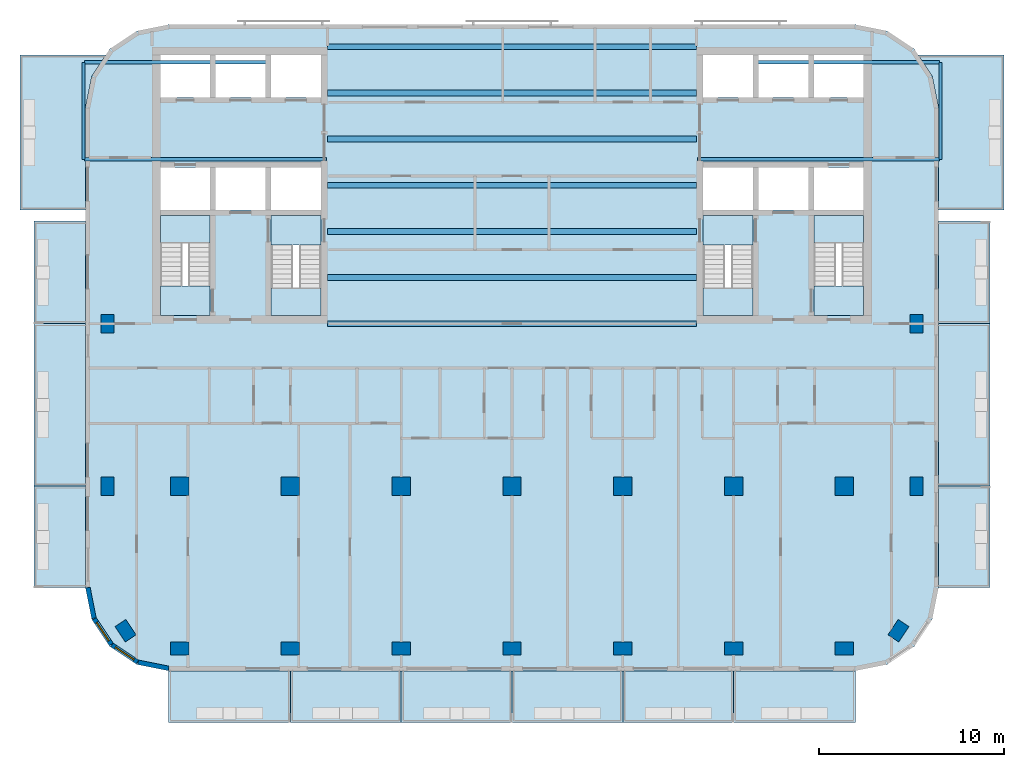
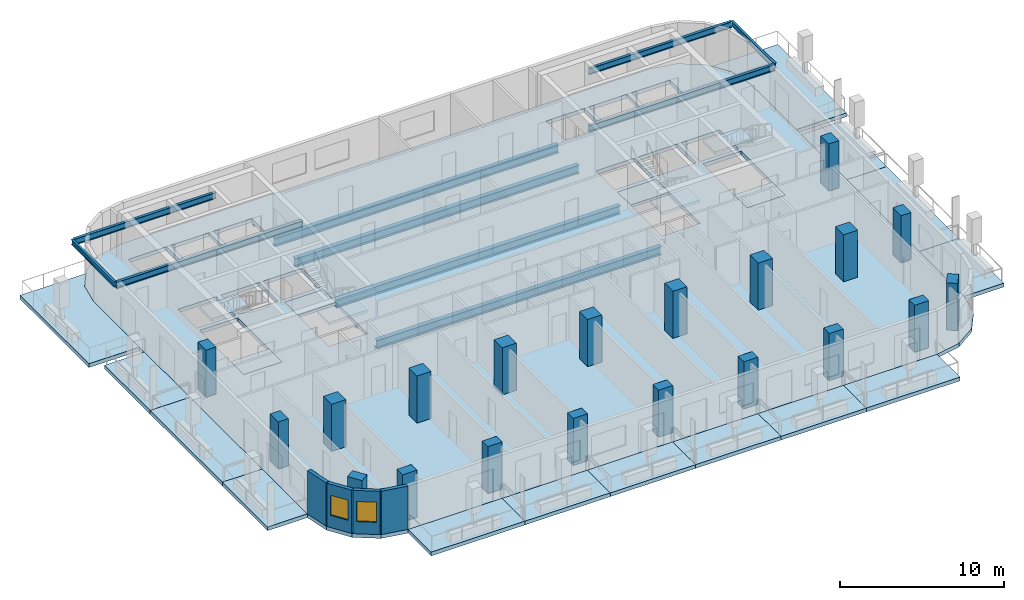
# One storey, part 1 of 11: 23 slabs, 20 columns, 13 beams, 4 walls, 2 windows, 2 openings, 4 elements without a shape of their own.
"""IFC4 building model written with IfcOpenShell, lengths in metres."""

import ifcopenshell
import ifcopenshell.guid

model = None  # the IFC model being written
_history = None  # IfcOwnerHistory: only IFC2X3 demands one
_inside = {}  # id of a spatial element -> (the spatial element, [elements in it])
_under = {}  # id of a project, library or spatial element -> (it, [spatial elements below it])
_declared = {}  # id of a project -> (the project, [libraries it declares])
_typed = {}  # id of a type object -> (the type object, [elements of that type])
_made_of = {}  # id of a material, layer set ... -> (it, [elements and type objects made of it])


def new_model(schema):
    """Start an empty IFC model of exactly this schema.

    Asked for "IFC4X3", IfcOpenShell would pick the latest addendum, in which some entities
    have other attributes; the version numbers below select the first issue.
    IFC2X3 requires an IfcOwnerHistory on every rooted entity: one is made here for all.
    """
    global model, _history
    if schema == "IFC4X3":
        model = ifcopenshell.file(schema_version=(4, 3, 0, 0))
    else:
        model = ifcopenshell.file(schema=schema)
    _inside.clear()
    _under.clear()
    _declared.clear()
    _typed.clear()
    _made_of.clear()
    _history = None
    if model.schema == "IFC2X3":
        org = make("IfcOrganization", Name="unknown")
        user = make(
            "IfcPersonAndOrganization",
            ThePerson=make("IfcPerson", FamilyName="unknown"),
            TheOrganization=org,
        )
        app = make(
            "IfcApplication",
            ApplicationDeveloper=org,
            Version="unknown",
            ApplicationFullName="unknown",
            ApplicationIdentifier="unknown",
        )
        _history = make(
            "IfcOwnerHistory",
            OwningUser=user,
            OwningApplication=app,
            ChangeAction="ADDED",
            CreationDate=0,
        )
    return model


def make(cls, **values):
    """One entity of the class cls with the attributes given. An attribute that is None is left unset."""
    return model.create_entity(
        cls, **{name: value for name, value in values.items() if value is not None}
    )


def rooted(cls, **values):
    """An entity with a GlobalId (a new one), such as an element, a storey or a relation."""
    return make(cls, GlobalId=ifcopenshell.guid.new(), OwnerHistory=_history, **values)


def si_unit(unit_type, name, prefix=None):
    """IfcSIUnit, for example si_unit("LENGTHUNIT", "METRE", prefix="MILLI")."""
    return make("IfcSIUnit", UnitType=unit_type, Prefix=prefix, Name=name)


def assignment(units):
    """IfcUnitAssignment: the units of a project."""
    return None if units is None else make("IfcUnitAssignment", Units=units)


def point(xyz):
    """IfcCartesianPoint."""
    return None if xyz is None else make("IfcCartesianPoint", Coordinates=xyz)


def direction(xyz):
    """IfcDirection."""
    return None if xyz is None else make("IfcDirection", DirectionRatios=xyz)


def frame(location, z_axis=None, x_axis=None):
    """IfcAxis2Placement3D, a coordinate frame: its origin and axes. An axis left out is left unset."""
    return make(
        "IfcAxis2Placement3D",
        Location=point(location),
        Axis=direction(z_axis),
        RefDirection=direction(x_axis),
    )


def frame_2d(location, x_axis=None):
    """IfcAxis2Placement2D, a coordinate frame in the plane: its origin and x axis."""
    return make(
        "IfcAxis2Placement2D", Location=point(location), RefDirection=direction(x_axis)
    )


def origin():
    """The frame at (0, 0, 0) with its axes left unset."""
    return frame((0.0, 0.0, 0.0))


def origin_2d():
    """The frame at (0, 0) in the plane with its x axis left unset."""
    return frame_2d((0.0, 0.0))


def place(relative_to, where):
    """IfcLocalPlacement: puts the frame where relative to a parent placement (None: the world)."""
    return make(
        "IfcLocalPlacement", PlacementRelTo=relative_to, RelativePlacement=where
    )


def context(
    kind, dimensions, precision=None, world=None, true_north=None, identifier=None
):
    """IfcGeometricRepresentationContext, for example the 3D "Model" context."""
    return make(
        "IfcGeometricRepresentationContext",
        ContextIdentifier=identifier,
        ContextType=kind,
        CoordinateSpaceDimension=dimensions,
        Precision=precision,
        WorldCoordinateSystem=world,
        TrueNorth=true_north,
    )


def subcontext(parent, identifier, kind, view, scale=None):
    """IfcGeometricRepresentationSubContext, for example "Body" below "Model"."""
    return make(
        "IfcGeometricRepresentationSubContext",
        ContextIdentifier=identifier,
        ContextType=kind,
        ParentContext=parent,
        TargetScale=scale,
        TargetView=view,
    )


def project(units=None, contexts=None):
    """IfcProject with its units and contexts."""
    return rooted(
        "IfcProject",
        Name="project",
        RepresentationContexts=contexts,
        UnitsInContext=assignment(units),
    )


def spatial(cls, under=None, at=None, **own):
    """A site, building, storey or space (cls), placed at a placement, below another one or the project."""
    s = rooted(cls, ObjectPlacement=at, **own)
    if under is not None:
        _under.setdefault(under.id(), (under, []))[1].append(s)
    return s


def polyline(points):
    """IfcPolyline through the points."""
    return make("IfcPolyline", Points=[point(p) for p in points])


def profile(cls, at=None, kind="AREA", **sizes):
    """A parametric profile (cls). Its sizes go by their IFC names, for example OverallWidth=200.0."""
    return make(cls, ProfileType=kind, Position=at, **sizes)


def rectangle(**sizes):
    """IfcRectangleProfileDef."""
    return profile("IfcRectangleProfileDef", **sizes)


def i_section(**sizes):
    """IfcIShapeProfileDef."""
    return profile("IfcIShapeProfileDef", **sizes)


def outline(outer, holes=None, kind="AREA"):
    """IfcArbitraryClosedProfileDef: a profile drawn as a closed curve; with holes, ...WithVoids."""
    if holes is None:
        return make("IfcArbitraryClosedProfileDef", ProfileType=kind, OuterCurve=outer)
    return make(
        "IfcArbitraryProfileDefWithVoids",
        ProfileType=kind,
        OuterCurve=outer,
        InnerCurves=holes,
    )


def extrude(swept, where, along, depth):
    """IfcExtrudedAreaSolid: the profile swept, set in the frame where, extruded along a direction by depth."""
    return make(
        "IfcExtrudedAreaSolid",
        SweptArea=swept,
        Position=where,
        ExtrudedDirection=direction(along),
        Depth=depth,
    )


def shape(context_of_items, identifier, shape_type, items):
    """IfcShapeRepresentation: the items that make up one representation, for example the "Body"."""
    return make(
        "IfcShapeRepresentation",
        ContextOfItems=context_of_items,
        RepresentationIdentifier=identifier,
        RepresentationType=shape_type,
        Items=items,
    )


def material(Name=None, Category=None):
    """IfcMaterial."""
    return make("IfcMaterial", Name=Name, Category=Category)


def layer(
    of_material, thickness, ventilated=None, Name=None, Category=None, Priority=None
):
    """IfcMaterialLayer: one layer of a wall or slab, of a material (None: an air gap)."""
    return make(
        "IfcMaterialLayer",
        Material=of_material,
        LayerThickness=thickness,
        IsVentilated=ventilated,
        Name=Name,
        Category=Category,
        Priority=Priority,
    )


def layer_set(layers, Name=None):
    """IfcMaterialLayerSet."""
    return make("IfcMaterialLayerSet", MaterialLayers=layers, LayerSetName=Name)


def material_profile(
    of_material, cross_section, Name=None, Category=None, Priority=None
):
    """IfcMaterialProfile: a cross section and its material."""
    return make(
        "IfcMaterialProfile",
        Name=Name,
        Material=of_material,
        Profile=cross_section,
        Priority=Priority,
        Category=Category,
    )


def profile_set(profiles, Name=None, composite=None):
    """IfcMaterialProfileSet."""
    return make(
        "IfcMaterialProfileSet",
        Name=Name,
        MaterialProfiles=profiles,
        CompositeProfile=composite,
    )


def made_of(thing, what):
    """Note that an element or type object is made of a material, layer set ...; save() writes the relation."""
    if what is not None:
        _made_of.setdefault(what.id(), (what, []))[1].append(thing)
    return thing


def type_object(cls, material=None, **own):
    """A type object (cls), such as IfcWallType, which elements share."""
    return made_of(rooted(cls, **own), material)


def element(
    cls,
    number,
    at=None,
    inside=None,
    cuts=None,
    type_object=None,
    material=None,
    context=None,
    identifier="Body",
    shape_type=None,
    held_by="IfcProductDefinitionShape",
    body=None,
    shapes=None,
    **own,
):
    """One element of the class cls, such as IfcWall. Its Tag is "e" and its number.

    at: its placement. inside: the storey or other place that contains it. cuts: it is an
    opening in that element (IfcRelVoidsElement). A single representation is given by context,
    identifier, shape_type and body (its items); several are given by shapes. held_by: the class
    of the entity that holds the representations. save() writes the other relations.
    """
    e = rooted(cls, Tag="e%d" % number, ObjectPlacement=at, **own)
    if body is not None:
        shapes = [shape(context, identifier, shape_type, body)]
    if shapes is not None:
        e.Representation = make(held_by, Representations=shapes)
    if inside is not None:
        _inside.setdefault(inside.id(), (inside, []))[1].append(e)
    if cuts is not None:
        rooted(
            "IfcRelVoidsElement", RelatingBuildingElement=cuts, RelatedOpeningElement=e
        )
    if type_object is not None:
        _typed.setdefault(type_object.id(), (type_object, []))[1].append(e)
    return made_of(e, material)


def fill(opening, filler):
    """IfcRelFillsElement: the door or window that sits in an opening."""
    return rooted(
        "IfcRelFillsElement",
        RelatingOpeningElement=opening,
        RelatedBuildingElement=filler,
    )


def aggregate(whole, parts):
    """IfcRelAggregates: a whole, such as a stair, and the parts it consists of."""
    return rooted("IfcRelAggregates", RelatingObject=whole, RelatedObjects=parts)


def save(model, path):
    """Write the relations noted so far, then the file.

    IfcRelAggregates (storeys below a building ...), IfcRelContainedInSpatialStructure (elements
    in a storey), IfcRelDefinesByType, IfcRelAssociatesMaterial and IfcRelDeclares: one each for
    every whole, place, type object, material and project.
    """
    for whole, parts in _under.values():
        aggregate(whole, parts)
    for where, things in _inside.values():
        rooted(
            "IfcRelContainedInSpatialStructure",
            RelatedElements=things,
            RelatingStructure=where,
        )
    for kind, things in _typed.values():
        rooted("IfcRelDefinesByType", RelatedObjects=things, RelatingType=kind)
    for what, things in _made_of.values():
        rooted("IfcRelAssociatesMaterial", RelatedObjects=things, RelatingMaterial=what)
    for by, libraries in _declared.values():
        rooted("IfcRelDeclares", RelatingContext=by, RelatedDefinitions=libraries)
    model.write(path)


model = new_model("IFC4")

# Units and contexts
model_context = context("Model", 3, precision=1e-05, world=origin(), true_north=direction((0.0, 1.0)))
body_context = subcontext(model_context, "Body", "Model", "MODEL_VIEW")
ifc_project = project(units=[si_unit("LENGTHUNIT", "METRE"), si_unit("AREAUNIT", "SQUARE_METRE"), si_unit("VOLUMEUNIT", "CUBIC_METRE"), si_unit("PLANEANGLEUNIT", "RADIAN"), si_unit("MASSUNIT", "GRAM", prefix="KILO")], contexts=[model_context])

# Site, building, storey
site_placement = place(None, origin())
site = spatial("IfcSite", under=ifc_project, at=site_placement, CompositionType="ELEMENT")
building_placement = place(site_placement, origin())
building = spatial("IfcBuilding", under=site, at=building_placement, Name="Torana Hotel and Residences", CompositionType="ELEMENT")
storey_placement = place(building_placement, frame((0.0, 0.0, 280.60009765625)))
storey = spatial("IfcBuildingStorey", under=building, at=storey_placement, Name="L74", CompositionType="ELEMENT", Elevation=280.60009765625)

# Columns
ifc_material_1 = material(Name="Concrete C50/60", Category="concrete")
ifc_material_profile_1 = material_profile(ifc_material_1, rectangle(XDim=1.0, YDim=1.0, at=origin_2d()), Name="RC 1000x1000")
ifc_profile_set_1 = profile_set([ifc_material_profile_1], Name="Concrete C50/60")
column_type_1 = type_object("IfcColumnType", Name="COLUMN RC 1000x1000 C50/60", PredefinedType="COLUMN", material=ifc_profile_set_1)
for number, where, z_axis, x_axis, name in (
    (1, (-18.0, -23.800048828125, 0.0), (0.0, 0.0, 1.0), (1.0, 0.0, 0.0), "Column L74"),
    (2, (-12.0, -23.800048828125, 0.0), (0.0, 0.0, 1.0), (1.0, 0.0, 0.0), "Column L74"),
    (3, (-6.0, -23.800048828125, 0.0), (0.0, 0.0, 1.0), (1.0, 0.0, 0.0), "Column L74"),
    (4, (0.0, -23.800048828125, 0.0), (0.0, 0.0, 1.0), (1.0, 0.0, 0.0), "Column L74"),
    (5, (6.0, -23.800048828125, 0.0), (0.0, 0.0, 1.0), (1.0, 0.0, 0.0), "Column L74"),
    (6, (12.0, -23.800048828125, 0.0), (0.0, 0.0, 1.0), (1.0, 0.0, 0.0), "Column L74"),
    (7, (18.0, -23.800048828125, 0.0), (0.0, 0.0, 1.0), (1.0, 0.0, 0.0), "Column L74"),
):
    element("IfcColumn", number, at=place(storey_placement, frame(where, z_axis=z_axis, x_axis=x_axis)), inside=storey, type_object=column_type_1, Name=name, PredefinedType="COLUMN", context=body_context, shape_type="SweptSolid", body=[
        extrude(rectangle(XDim=1.0, YDim=1.0, at=origin_2d()), origin(), (0.0, 0.0, 1.0), 3.5),
    ])
ifc_material_2 = material(Name="Concrete C50/60", Category="concrete")
ifc_material_profile_2 = material_profile(ifc_material_2, rectangle(XDim=1.0, YDim=0.699951171875, at=origin_2d()), Name="RC 1000x700")
ifc_profile_set_2 = profile_set([ifc_material_profile_2], Name="Concrete C50/60")
column_type_2 = type_object("IfcColumnType", Name="COLUMN RC 1000x700 C50/60", PredefinedType="COLUMN", material=ifc_profile_set_2)
for number, where, z_axis, x_axis, name in (
    (8, (-21.89990234375, -23.800048828125, 0.0), (0.0, 0.0, 1.0), (0.0, 1.0, 0.0), "Column L74"),
    (9, (-21.89990234375, -15.0, 0.0), (0.0, 0.0, 1.0), (0.0, 1.0, 0.0), "Column L74"),
    (10, (-20.93310546875, -31.633056640625, 0.0), (0.0, 0.0, 1.0), (-0.555584744817, 0.831459915646, 0.0), "Column L74"),
    (11, (-18.0, -32.60009765625, 0.0), (0.0, 0.0, 1.0), (1.0, 0.0, 0.0), "Column L74"),
    (12, (-12.0, -32.60009765625, 0.0), (0.0, 0.0, 1.0), (1.0, 0.0, 0.0), "Column L74"),
    (13, (-6.0, -32.60009765625, 0.0), (0.0, 0.0, 1.0), (1.0, 0.0, 0.0), "Column L74"),
    (14, (0.0, -32.60009765625, 0.0), (0.0, 0.0, 1.0), (1.0, 0.0, 0.0), "Column L74"),
    (15, (6.0, -32.60009765625, 0.0), (0.0, 0.0, 1.0), (1.0, 0.0, 0.0), "Column L74"),
    (16, (12.0, -32.60009765625, 0.0), (0.0, 0.0, 1.0), (1.0, 0.0, 0.0), "Column L74"),
    (17, (18.0, -32.60009765625, 0.0), (0.0, 0.0, 1.0), (1.0, 0.0, 0.0), "Column L74"),
    (18, (20.93310546875, -31.633056640625, 0.0), (0.0, 0.0, 1.0), (0.555584744817, 0.831459915646, 0.0), "Column L74"),
    (19, (21.89990234375, -23.800048828125, 0.0), (0.0, 0.0, 1.0), (0.0, 1.0, 0.0), "Column L74"),
    (20, (21.89990234375, -15.0, 0.0), (0.0, 0.0, 1.0), (0.0, 1.0, 0.0), "Column L74"),
):
    element("IfcColumn", number, at=place(storey_placement, frame(where, z_axis=z_axis, x_axis=x_axis)), inside=storey, type_object=column_type_2, Name=name, PredefinedType="COLUMN", context=body_context, shape_type="SweptSolid", body=[
        extrude(rectangle(XDim=1.0, YDim=0.699951171875, at=origin_2d()), origin(), (0.0, 0.0, 1.0), 3.5),
    ])

# Beams
ifc_material_3 = material(Name="Steel S355", Category="steel")
ifc_material_profile_3 = material_profile(ifc_material_3, i_section(OverallWidth=0.19287109375, OverallDepth=0.46728515625, WebThickness=0.011474609375, FlangeThickness=0.01953125, FilletRadius=0.01025390625, at=origin_2d()), Name="457x191x98 UB")
ifc_profile_set_3 = profile_set([ifc_material_profile_3], Name="Steel S355")
beam_type_1 = type_object("IfcBeamType", Name="BALCONY CANTILEVER BEAM 457x191x98 UB", PredefinedType="BEAM", material=ifc_profile_set_3)
beam_1_placement = place(storey_placement, frame((-23.1484375, -6.10009765625, 2.986328125), z_axis=(1.0, 0.0, 0.0), x_axis=(0.0, 1.0, 0.0)))
element("IfcBeam", 21, at=beam_1_placement, inside=storey, type_object=beam_type_1, Name="Balcony cantilever beam", PredefinedType="BEAM", context=body_context, shape_type="SweptSolid", body=[
    extrude(i_section(OverallWidth=0.19287109375, OverallDepth=0.46728515625, WebThickness=0.011474609375, FlangeThickness=0.01953125, FilletRadius=0.01025390625, at=origin_2d()), origin(), (0.0, 0.0, 1.0), 13.098388671875),
])
beam_2_placement = place(storey_placement, frame((-23.1484375, -0.85009765625, 2.986328125), z_axis=(1.0, 0.0, 0.0), x_axis=(0.0, 1.0, 0.0)))
element("IfcBeam", 22, at=beam_2_placement, inside=storey, type_object=beam_type_1, Name="Balcony cantilever beam", PredefinedType="BEAM", context=body_context, shape_type="SweptSolid", body=[
    extrude(i_section(OverallWidth=0.19287109375, OverallDepth=0.46728515625, WebThickness=0.011474609375, FlangeThickness=0.01953125, FilletRadius=0.01025390625, at=origin_2d()), origin(), (0.0, 0.0, 1.0), 10.04833984375),
])
beam_3_placement = place(storey_placement, frame((23.1484375, -6.10009765625, 2.986328125), z_axis=(-1.0, 0.0, 0.0), x_axis=(0.0, -1.0, 0.0)))
element("IfcBeam", 23, at=beam_3_placement, inside=storey, type_object=beam_type_1, Name="Balcony cantilever beam", PredefinedType="BEAM", context=body_context, shape_type="SweptSolid", body=[
    extrude(i_section(OverallWidth=0.19287109375, OverallDepth=0.46728515625, WebThickness=0.011474609375, FlangeThickness=0.01953125, FilletRadius=0.01025390625, at=origin_2d()), origin(), (0.0, 0.0, 1.0), 13.098388671875),
])
beam_4_placement = place(storey_placement, frame((23.1484375, -0.85009765625, 2.986328125), z_axis=(-1.0, 0.0, 0.0), x_axis=(0.0, -1.0, 0.0)))
element("IfcBeam", 24, at=beam_4_placement, inside=storey, type_object=beam_type_1, Name="Balcony cantilever beam", PredefinedType="BEAM", context=body_context, shape_type="SweptSolid", body=[
    extrude(i_section(OverallWidth=0.19287109375, OverallDepth=0.46728515625, WebThickness=0.011474609375, FlangeThickness=0.01953125, FilletRadius=0.01025390625, at=origin_2d()), origin(), (0.0, 0.0, 1.0), 10.04833984375),
])
ifc_material_4 = material(Name="Steel S355", Category="steel")
ifc_material_profile_4 = material_profile(ifc_material_4, i_section(OverallWidth=0.173095703125, OverallDepth=0.36328125, WebThickness=0.009033203125, FlangeThickness=0.015625, FilletRadius=0.01025390625, at=origin_2d()), Name="356x171x67 UB")
ifc_profile_set_4 = profile_set([ifc_material_profile_4], Name="Steel S355")
beam_type_2 = type_object("IfcBeamType", Name="BALCONY TIP BEAM 356x171x67 UB", PredefinedType="BEAM", material=ifc_profile_set_4)
for number, where, z_axis, x_axis, name in (
    (25, (-23.205078125, -6.10009765625, 3.0380859375), (0.0, 1.0, 0.0), (-1.0, 0.0, 0.0), "Balcony tip beam"),
    (26, (23.205078125, -6.10009765625, 3.0380859375), (0.0, 1.0, 0.0), (-1.0, 0.0, 0.0), "Balcony tip beam"),
):
    element("IfcBeam", number, at=place(storey_placement, frame(where, z_axis=z_axis, x_axis=x_axis)), inside=storey, type_object=beam_type_2, Name=name, PredefinedType="BEAM", context=body_context, shape_type="SweptSolid", body=[
        extrude(i_section(OverallWidth=0.173095703125, OverallDepth=0.36328125, WebThickness=0.009033203125, FlangeThickness=0.015625, FilletRadius=0.01025390625, at=origin_2d()), origin(), (0.0, 0.0, 1.0), 5.25),
    ])
ifc_material_5 = material(Name="Steel S355", Category="steel")
ifc_material_profile_5 = material_profile(ifc_material_5, i_section(OverallWidth=0.311279296875, OverallDepth=0.6357421875, WebThickness=0.018310546875, FlangeThickness=0.031494140625, FilletRadius=0.0166015625, at=origin_2d()), Name="610x305x238 UB")
ifc_profile_set_5 = profile_set([ifc_material_profile_5], Name="Steel S355")
beam_type_3 = type_object("IfcBeamType", Name="STEEL GIRDER 610x305x238 UB", PredefinedType="BEAM", material=ifc_profile_set_5)
for number, where, z_axis, x_axis, name in (
    (27, (-10.0, -15.0, -0.597900390625), (1.0, 0.0, 0.0), (0.0, 1.0, 0.0), "Floor girder"),
    (28, (-10.0, -12.5, -0.597900390625), (1.0, 0.0, 0.0), (0.0, 1.0, 0.0), "Floor girder"),
    (29, (-10.0, -10.0, -0.597900390625), (1.0, 0.0, 0.0), (0.0, 1.0, 0.0), "Floor girder"),
    (30, (-10.0, -7.5, -0.597900390625), (1.0, 0.0, 0.0), (0.0, 1.0, 0.0), "Floor girder"),
    (31, (-10.0, -5.0, -0.597900390625), (1.0, 0.0, 0.0), (0.0, 1.0, 0.0), "Floor girder"),
    (32, (-10.0, -2.5, -0.597900390625), (1.0, 0.0, 0.0), (0.0, 1.0, 0.0), "Floor girder"),
    (33, (-10.0, 0.0, -0.597900390625), (1.0, 0.0, 0.0), (0.0, 1.0, 0.0), "Floor girder"),
):
    element("IfcBeam", number, at=place(storey_placement, frame(where, z_axis=z_axis, x_axis=x_axis)), inside=storey, type_object=beam_type_3, Name=name, PredefinedType="BEAM", context=body_context, shape_type="SweptSolid", body=[
        extrude(i_section(OverallWidth=0.311279296875, OverallDepth=0.6357421875, WebThickness=0.018310546875, FlangeThickness=0.031494140625, FilletRadius=0.0166015625, at=origin_2d()), origin(), (0.0, 0.0, 1.0), 20.0),
    ])

# Slabs
ifc_material_6 = material(Name="Concrete C40/50", Category="concrete")
ifc_layer_1 = layer(ifc_material_6, 0.280029296875)
ifc_layer_set_1 = layer_set([ifc_layer_1], Name="BAL1 BALCONY SLAB 280")
slab_type_1 = type_object("IfcSlabType", Name="BAL1 BALCONY SLAB 280", PredefinedType="USERDEFINED", material=ifc_layer_set_1)
slab_1_placement = place(storey_placement, frame((0.0, 0.0, -0.280029296875)))
element("IfcSlab", 34, at=slab_1_placement, inside=storey, type_object=slab_type_1, Name="Balcony 01", ObjectType="BALCONY", PredefinedType="USERDEFINED", context=body_context, shape_type="SweptSolid", body=[
    extrude(outline(polyline([(-18.60009765625, -36.60009765625), (-12.0, -36.60009765625), (-12.0, -33.800048828125), (-18.60009765625, -33.800048828125), (-18.60009765625, -36.60009765625)])), origin(), (0.0, 0.0, 1.0), 0.280029296875),
])
slab_2_placement = place(storey_placement, frame((0.0, 0.0, -0.280029296875)))
element("IfcSlab", 35, at=slab_2_placement, inside=storey, type_object=slab_type_1, Name="Balcony 02", ObjectType="BALCONY", PredefinedType="USERDEFINED", context=body_context, shape_type="SweptSolid", body=[
    extrude(outline(polyline([(-12.0, -36.60009765625), (-6.0, -36.60009765625), (-6.0, -33.800048828125), (-12.0, -33.800048828125), (-12.0, -36.60009765625)])), origin(), (0.0, 0.0, 1.0), 0.280029296875),
])
slab_3_placement = place(storey_placement, frame((0.0, 0.0, -0.280029296875)))
element("IfcSlab", 36, at=slab_3_placement, inside=storey, type_object=slab_type_1, Name="Balcony 03", ObjectType="BALCONY", PredefinedType="USERDEFINED", context=body_context, shape_type="SweptSolid", body=[
    extrude(outline(polyline([(-6.0, -36.60009765625), (0.0, -36.60009765625), (0.0, -33.800048828125), (-6.0, -33.800048828125), (-6.0, -36.60009765625)])), origin(), (0.0, 0.0, 1.0), 0.280029296875),
])
slab_4_placement = place(storey_placement, frame((0.0, 0.0, -0.280029296875)))
element("IfcSlab", 37, at=slab_4_placement, inside=storey, type_object=slab_type_1, Name="Balcony 04", ObjectType="BALCONY", PredefinedType="USERDEFINED", context=body_context, shape_type="SweptSolid", body=[
    extrude(outline(polyline([(0.0, -36.60009765625), (6.0, -36.60009765625), (6.0, -33.800048828125), (0.0, -33.800048828125), (0.0, -36.60009765625)])), origin(), (0.0, 0.0, 1.0), 0.280029296875),
])
slab_5_placement = place(storey_placement, frame((0.0, 0.0, -0.280029296875)))
element("IfcSlab", 38, at=slab_5_placement, inside=storey, type_object=slab_type_1, Name="Balcony 05", ObjectType="BALCONY", PredefinedType="USERDEFINED", context=body_context, shape_type="SweptSolid", body=[
    extrude(outline(polyline([(6.0, -36.60009765625), (12.0, -36.60009765625), (12.0, -33.800048828125), (6.0, -33.800048828125), (6.0, -36.60009765625)])), origin(), (0.0, 0.0, 1.0), 0.280029296875),
])
slab_6_placement = place(storey_placement, frame((0.0, 0.0, -0.280029296875)))
element("IfcSlab", 39, at=slab_6_placement, inside=storey, type_object=slab_type_1, Name="Balcony 06", ObjectType="BALCONY", PredefinedType="USERDEFINED", context=body_context, shape_type="SweptSolid", body=[
    extrude(outline(polyline([(12.0, -36.60009765625), (18.60009765625, -36.60009765625), (18.60009765625, -33.800048828125), (12.0, -33.800048828125), (12.0, -36.60009765625)])), origin(), (0.0, 0.0, 1.0), 0.280029296875),
])
slab_7_placement = place(storey_placement, frame((0.0, 0.0, -0.280029296875)))
element("IfcSlab", 40, at=slab_7_placement, inside=storey, type_object=slab_type_1, Name="Balcony 07", ObjectType="BALCONY", PredefinedType="USERDEFINED", context=body_context, shape_type="SweptSolid", body=[
    extrude(outline(polyline([(-25.89990234375, -29.300048828125), (-23.10009765625, -29.300048828125), (-23.10009765625, -23.800048828125), (-25.89990234375, -23.800048828125), (-25.89990234375, -29.300048828125)])), origin(), (0.0, 0.0, 1.0), 0.280029296875),
])
slab_8_placement = place(storey_placement, frame((0.0, 0.0, -0.280029296875)))
element("IfcSlab", 41, at=slab_8_placement, inside=storey, type_object=slab_type_1, Name="Balcony 08", ObjectType="BALCONY", PredefinedType="USERDEFINED", context=body_context, shape_type="SweptSolid", body=[
    extrude(outline(polyline([(-25.89990234375, -23.800048828125), (-23.10009765625, -23.800048828125), (-23.10009765625, -15.0), (-25.89990234375, -15.0), (-25.89990234375, -23.800048828125)])), origin(), (0.0, 0.0, 1.0), 0.280029296875),
])
slab_9_placement = place(storey_placement, frame((0.0, 0.0, -0.280029296875)))
element("IfcSlab", 42, at=slab_9_placement, inside=storey, type_object=slab_type_1, Name="Balcony 09", ObjectType="BALCONY", PredefinedType="USERDEFINED", context=body_context, shape_type="SweptSolid", body=[
    extrude(outline(polyline([(-25.89990234375, -15.0), (-23.10009765625, -15.0), (-23.10009765625, -9.449951171875), (-25.89990234375, -9.449951171875), (-25.89990234375, -15.0)])), origin(), (0.0, 0.0, 1.0), 0.280029296875),
])
slab_10_placement = place(storey_placement, frame((0.0, 0.0, -0.280029296875)))
element("IfcSlab", 43, at=slab_10_placement, inside=storey, type_object=slab_type_1, Name="Balcony 10", ObjectType="BALCONY", PredefinedType="USERDEFINED", context=body_context, shape_type="SweptSolid", body=[
    extrude(outline(polyline([(-26.64990234375, -8.85009765625), (-23.10009765625, -8.85009765625), (-23.10009765625, -3.300048828125), (-22.757568359375, -1.577880859375), (-22.00390625, -0.449951171875), (-26.64990234375, -0.449951171875), (-26.64990234375, -8.85009765625)])), origin(), (0.0, 0.0, 1.0), 0.280029296875),
])
slab_11_placement = place(storey_placement, frame((0.0, 0.0, -0.280029296875)))
element("IfcSlab", 44, at=slab_11_placement, inside=storey, type_object=slab_type_1, Name="Balcony 11", ObjectType="BALCONY", PredefinedType="USERDEFINED", context=body_context, shape_type="SweptSolid", body=[
    extrude(outline(polyline([(23.10009765625, -29.300048828125), (25.89990234375, -29.300048828125), (25.89990234375, -23.800048828125), (23.10009765625, -23.800048828125), (23.10009765625, -29.300048828125)])), origin(), (0.0, 0.0, 1.0), 0.280029296875),
])
slab_12_placement = place(storey_placement, frame((0.0, 0.0, -0.280029296875)))
element("IfcSlab", 45, at=slab_12_placement, inside=storey, type_object=slab_type_1, Name="Balcony 12", ObjectType="BALCONY", PredefinedType="USERDEFINED", context=body_context, shape_type="SweptSolid", body=[
    extrude(outline(polyline([(23.10009765625, -23.800048828125), (25.89990234375, -23.800048828125), (25.89990234375, -15.0), (23.10009765625, -15.0), (23.10009765625, -23.800048828125)])), origin(), (0.0, 0.0, 1.0), 0.280029296875),
])
slab_13_placement = place(storey_placement, frame((0.0, 0.0, -0.280029296875)))
element("IfcSlab", 46, at=slab_13_placement, inside=storey, type_object=slab_type_1, Name="Balcony 13", ObjectType="BALCONY", PredefinedType="USERDEFINED", context=body_context, shape_type="SweptSolid", body=[
    extrude(outline(polyline([(23.10009765625, -15.0), (25.89990234375, -15.0), (25.89990234375, -9.449951171875), (23.10009765625, -9.449951171875), (23.10009765625, -15.0)])), origin(), (0.0, 0.0, 1.0), 0.280029296875),
])
slab_14_placement = place(storey_placement, frame((0.0, 0.0, -0.280029296875)))
element("IfcSlab", 47, at=slab_14_placement, inside=storey, type_object=slab_type_1, Name="Balcony 14", ObjectType="BALCONY", PredefinedType="USERDEFINED", context=body_context, shape_type="SweptSolid", body=[
    extrude(outline(polyline([(23.10009765625, -8.85009765625), (26.64990234375, -8.85009765625), (26.64990234375, -0.449951171875), (22.00390625, -0.449951171875), (22.757568359375, -1.577880859375), (23.10009765625, -3.300048828125), (23.10009765625, -8.85009765625)])), origin(), (0.0, 0.0, 1.0), 0.280029296875),
])
ifc_material_7 = material(Name="Concrete C40/50", Category="concrete")
ifc_layer_2 = layer(ifc_material_7, 0.280029296875)
ifc_layer_set_2 = layer_set([ifc_layer_2], Name="FLOOR SLAB PT 280")
slab_type_2 = type_object("IfcSlabType", Name="FLOOR SLAB PT 280", PredefinedType="FLOOR", material=ifc_layer_set_2)
slab_15_placement = place(storey_placement, frame((0.0, 0.0, -0.280029296875)))
element("IfcSlab", 48, at=slab_15_placement, inside=storey, type_object=slab_type_2, Name="Floor slab", PredefinedType="FLOOR", context=body_context, shape_type="SweptSolid", body=[
    extrude(outline(polyline([(23.10009765625, -3.300048828125), (22.757568359375, -1.577880859375), (21.781982421875, -0.117919921875), (20.322021484375, 0.857421875), (18.60009765625, 1.199951171875), (-18.60009765625, 1.199951171875), (-20.322021484375, 0.857421875), (-21.781982421875, -0.117919921875), (-22.757568359375, -1.577880859375), (-23.10009765625, -3.300048828125), (-23.10009765625, -29.300048828125), (-22.757568359375, -31.022216796875), (-21.781982421875, -32.48193359375), (-20.322021484375, -33.45751953125), (-18.60009765625, -33.800048828125), (18.60009765625, -33.800048828125), (20.322021484375, -33.45751953125), (21.781982421875, -32.48193359375), (22.757568359375, -31.022216796875), (23.10009765625, -29.300048828125), (23.10009765625, -3.300048828125)]), holes=[polyline([(-13.050048828125, -14.550048828125), (-10.35009765625, -14.550048828125), (-10.35009765625, -9.14990234375), (-13.050048828125, -9.14990234375), (-13.050048828125, -14.550048828125)]), polyline([(-19.050048828125, -14.550048828125), (-16.35009765625, -14.550048828125), (-16.35009765625, -9.14990234375), (-19.050048828125, -9.14990234375), (-19.050048828125, -14.550048828125)]), polyline([(-19.050048828125, -2.75), (-16.35009765625, -2.75), (-16.35009765625, -0.449951171875), (-19.050048828125, -0.449951171875), (-19.050048828125, -2.75)]), polyline([(-13.050048828125, -2.75), (-10.35009765625, -2.75), (-10.35009765625, -0.449951171875), (-13.050048828125, -0.449951171875), (-13.050048828125, -2.75)]), polyline([(-16.050048828125, -2.75), (-13.35009765625, -2.75), (-13.35009765625, -0.449951171875), (-16.050048828125, -0.449951171875), (-16.050048828125, -2.75)]), polyline([(-13.050048828125, -8.85009765625), (-10.35009765625, -8.85009765625), (-10.35009765625, -6.550048828125), (-13.050048828125, -6.550048828125), (-13.050048828125, -8.85009765625)]), polyline([(-16.050048828125, -8.85009765625), (-13.35009765625, -8.85009765625), (-13.35009765625, -6.550048828125), (-16.050048828125, -6.550048828125), (-16.050048828125, -8.85009765625)]), polyline([(-19.050048828125, -8.85009765625), (-16.35009765625, -8.85009765625), (-16.35009765625, -6.550048828125), (-19.050048828125, -6.550048828125), (-19.050048828125, -8.85009765625)]), polyline([(10.35009765625, -14.550048828125), (13.050048828125, -14.550048828125), (13.050048828125, -9.14990234375), (10.35009765625, -9.14990234375), (10.35009765625, -14.550048828125)]), polyline([(16.35009765625, -14.550048828125), (19.050048828125, -14.550048828125), (19.050048828125, -9.14990234375), (16.35009765625, -9.14990234375), (16.35009765625, -14.550048828125)]), polyline([(16.35009765625, -2.75), (19.050048828125, -2.75), (19.050048828125, -0.449951171875), (16.35009765625, -0.449951171875), (16.35009765625, -2.75)]), polyline([(10.35009765625, -2.75), (13.050048828125, -2.75), (13.050048828125, -0.449951171875), (10.35009765625, -0.449951171875), (10.35009765625, -2.75)]), polyline([(13.35009765625, -2.75), (16.050048828125, -2.75), (16.050048828125, -0.449951171875), (13.35009765625, -0.449951171875), (13.35009765625, -2.75)]), polyline([(10.35009765625, -8.85009765625), (13.050048828125, -8.85009765625), (13.050048828125, -6.550048828125), (10.35009765625, -6.550048828125), (10.35009765625, -8.85009765625)]), polyline([(13.35009765625, -8.85009765625), (16.050048828125, -8.85009765625), (16.050048828125, -6.550048828125), (13.35009765625, -6.550048828125), (13.35009765625, -8.85009765625)]), polyline([(16.35009765625, -8.85009765625), (19.050048828125, -8.85009765625), (19.050048828125, -6.550048828125), (16.35009765625, -6.550048828125), (16.35009765625, -8.85009765625)])]), origin(), (0.0, 0.0, 1.0), 0.280029296875),
])

# Stair, slabs
ifc_material_8 = material(Name="Concrete C40/50 precast", Category="concrete")
stair_type_1 = type_object("IfcStairType", Name="STAIR ST1 HALF TURN 1200", PredefinedType="HALF_TURN_STAIR", material=ifc_material_8)
stair_1_placement = place(storey_placement, origin())
stair_1 = element("IfcStair", 49, at=stair_1_placement, inside=storey, type_object=stair_type_1, Name="Stair ST1 L74", PredefinedType="HALF_TURN_STAIR")
ifc_material_9 = material(Name="Concrete C40/50 precast", Category="concrete")
ifc_layer_3 = layer(ifc_material_9, 0.199951171875)
ifc_layer_set_3 = layer_set([ifc_layer_3], Name="STAIR LANDING 200")
slab_type_3 = type_object("IfcSlabType", Name="STAIR LANDING 200", PredefinedType="LANDING", material=ifc_layer_set_3)
slab_16_placement = place(storey_placement, frame((0.0, 0.0, 1.5498046875)))
slab_16 = element("IfcSlab", 50, at=slab_16_placement, type_object=slab_type_3, Name="ST1 landing 1", PredefinedType="LANDING", context=body_context, shape_type="SweptSolid", body=[
    extrude(outline(polyline([(-13.050048828125, -14.550048828125), (-10.35009765625, -14.550048828125), (-10.35009765625, -13.090087890625), (-13.050048828125, -13.090087890625), (-13.050048828125, -14.550048828125)])), origin(), (0.0, 0.0, 1.0), 0.2001953125),
])
slab_17_placement = place(storey_placement, frame((0.0, 0.0, -0.2001953125)))
slab_17 = element("IfcSlab", 51, at=slab_17_placement, type_object=slab_type_3, Name="ST1 landing 2", PredefinedType="LANDING", context=body_context, shape_type="SweptSolid", body=[
    extrude(outline(polyline([(-13.050048828125, -10.75), (-10.35009765625, -10.75), (-10.35009765625, -9.14990234375), (-13.050048828125, -9.14990234375), (-13.050048828125, -10.75)])), origin(), (0.0, 0.0, 1.0), 0.2001953125),
])
aggregate(stair_1, [slab_16, slab_17])

ifc_material_10 = material(Name="Concrete C40/50 precast", Category="concrete")
stair_type_2 = type_object("IfcStairType", Name="STAIR ST2 HALF TURN 1200", PredefinedType="HALF_TURN_STAIR", material=ifc_material_10)
stair_2_placement = place(storey_placement, origin())
stair_2 = element("IfcStair", 52, at=stair_2_placement, inside=storey, type_object=stair_type_2, Name="Stair ST2 L74", PredefinedType="HALF_TURN_STAIR")
slab_18_placement = place(storey_placement, frame((0.0, 0.0, 1.5498046875)))
slab_18 = element("IfcSlab", 53, at=slab_18_placement, type_object=slab_type_3, Name="ST2 landing 1", PredefinedType="LANDING", context=body_context, shape_type="SweptSolid", body=[
    extrude(outline(polyline([(-19.050048828125, -10.610107421875), (-16.35009765625, -10.610107421875), (-16.35009765625, -9.14990234375), (-19.050048828125, -9.14990234375), (-19.050048828125, -10.610107421875)])), origin(), (0.0, 0.0, 1.0), 0.2001953125),
])
slab_19_placement = place(storey_placement, frame((0.0, 0.0, -0.2001953125)))
slab_19 = element("IfcSlab", 54, at=slab_19_placement, type_object=slab_type_3, Name="ST2 landing 2", PredefinedType="LANDING", context=body_context, shape_type="SweptSolid", body=[
    extrude(outline(polyline([(-19.050048828125, -14.550048828125), (-16.35009765625, -14.550048828125), (-16.35009765625, -12.949951171875), (-19.050048828125, -12.949951171875), (-19.050048828125, -14.550048828125)])), origin(), (0.0, 0.0, 1.0), 0.2001953125),
])
aggregate(stair_2, [slab_18, slab_19])

ifc_material_11 = material(Name="Concrete C40/50 precast", Category="concrete")
stair_type_3 = type_object("IfcStairType", Name="STAIR ST3 HALF TURN 1200", PredefinedType="HALF_TURN_STAIR", material=ifc_material_11)
stair_3_placement = place(storey_placement, origin())
stair_3 = element("IfcStair", 55, at=stair_3_placement, inside=storey, type_object=stair_type_3, Name="Stair ST3 L74", PredefinedType="HALF_TURN_STAIR")
slab_20_placement = place(storey_placement, frame((0.0, 0.0, 1.5498046875)))
slab_20 = element("IfcSlab", 56, at=slab_20_placement, type_object=slab_type_3, Name="ST3 landing 1", PredefinedType="LANDING", context=body_context, shape_type="SweptSolid", body=[
    extrude(outline(polyline([(10.35009765625, -14.550048828125), (13.050048828125, -14.550048828125), (13.050048828125, -13.090087890625), (10.35009765625, -13.090087890625), (10.35009765625, -14.550048828125)])), origin(), (0.0, 0.0, 1.0), 0.2001953125),
])
slab_21_placement = place(storey_placement, frame((0.0, 0.0, -0.2001953125)))
slab_21 = element("IfcSlab", 57, at=slab_21_placement, type_object=slab_type_3, Name="ST3 landing 2", PredefinedType="LANDING", context=body_context, shape_type="SweptSolid", body=[
    extrude(outline(polyline([(10.35009765625, -10.75), (13.050048828125, -10.75), (13.050048828125, -9.14990234375), (10.35009765625, -9.14990234375), (10.35009765625, -10.75)])), origin(), (0.0, 0.0, 1.0), 0.2001953125),
])
aggregate(stair_3, [slab_20, slab_21])

ifc_material_12 = material(Name="Concrete C40/50 precast", Category="concrete")
stair_type_4 = type_object("IfcStairType", Name="STAIR ST4 HALF TURN 1200", PredefinedType="HALF_TURN_STAIR", material=ifc_material_12)
stair_4_placement = place(storey_placement, origin())
stair_4 = element("IfcStair", 58, at=stair_4_placement, inside=storey, type_object=stair_type_4, Name="Stair ST4 L74", PredefinedType="HALF_TURN_STAIR")
slab_22_placement = place(storey_placement, frame((0.0, 0.0, 1.5498046875)))
slab_22 = element("IfcSlab", 59, at=slab_22_placement, type_object=slab_type_3, Name="ST4 landing 1", PredefinedType="LANDING", context=body_context, shape_type="SweptSolid", body=[
    extrude(outline(polyline([(16.35009765625, -10.610107421875), (19.050048828125, -10.610107421875), (19.050048828125, -9.14990234375), (16.35009765625, -9.14990234375), (16.35009765625, -10.610107421875)])), origin(), (0.0, 0.0, 1.0), 0.2001953125),
])
slab_23_placement = place(storey_placement, frame((0.0, 0.0, -0.2001953125)))
slab_23 = element("IfcSlab", 60, at=slab_23_placement, type_object=slab_type_3, Name="ST4 landing 2", PredefinedType="LANDING", context=body_context, shape_type="SweptSolid", body=[
    extrude(outline(polyline([(16.35009765625, -14.550048828125), (19.050048828125, -14.550048828125), (19.050048828125, -12.949951171875), (16.35009765625, -12.949951171875), (16.35009765625, -14.550048828125)])), origin(), (0.0, 0.0, 1.0), 0.2001953125),
])
aggregate(stair_4, [slab_22, slab_23])

# Wall
ifc_material_13 = material(Name="Black aluminium composite panel", Category="aluminium")
ifc_layer_4 = layer(ifc_material_13, 0.00390625, Name="Cladding", Category="cladding")
ifc_material_14 = material(Name="Ventilated air cavity")
ifc_layer_5 = layer(ifc_material_14, 0.0400390625, Name="Ventilated cavity", Category="cavity")
ifc_material_15 = material(Name="Mineral wool insulation")
ifc_layer_6 = layer(ifc_material_15, 0.090087890625, Name="Insulation", Category="insulation")
ifc_material_16 = material(Name="Steel S280GD", Category="steel")
ifc_layer_7 = layer(ifc_material_16, 0.092041015625, Name="Steel stud frame", Category="structure")
ifc_material_17 = material(Name="Fire rated plasterboard")
ifc_layer_8 = layer(ifc_material_17, 0.011962890625, Name="Inner board", Category="finish")
ifc_layer_9 = layer(ifc_material_17, 0.011962890625, Name="Second board", Category="finish")
ifc_layer_set_4 = layer_set([ifc_layer_4, ifc_layer_5, ifc_layer_6, ifc_layer_7, ifc_layer_8, ifc_layer_9], Name="EW1 EXTERNAL WALL BLACK METAL CLAD 250")
wall_type = type_object("IfcWallType", Name="EW1 EXTERNAL WALL BLACK METAL CLAD 250", PredefinedType="SOLIDWALL", material=ifc_layer_set_4)
wall_1_placement = place(storey_placement, frame((-22.97265625, -29.2998046875, 0.0), z_axis=(0.0, 0.0, 1.0), x_axis=(0.19513878023, -0.980775640221, 0.0)))
element("IfcWall", 61, at=wall_1_placement, inside=storey, type_object=wall_type, Name="External wall L74 e0.10", PredefinedType="SOLIDWALL", context=body_context, shape_type="SweptSolid", body=[
    extrude(rectangle(XDim=1.681396484375, YDim=0.25, at=frame_2d((0.8408203125, 0.0))), origin(), (0.0, 0.0, 1.0), 3.219970703125),
])

# Wall, opening, window
wall_2_placement = place(storey_placement, frame((-22.6259765625, -30.993896484375, 0.0), z_axis=(0.0, 0.0, 1.0), x_axis=(0.55555029066, -0.831482937015, 0.0)))
wall_2 = element("IfcWall", 62, at=wall_2_placement, inside=storey, type_object=wall_type, Name="External wall L74 e0.11", PredefinedType="SOLIDWALL", context=body_context, shape_type="SweptSolid", body=[
    extrude(rectangle(XDim=1.65625, YDim=0.25, at=frame_2d((0.828125, 0.0))), origin(), (0.0, 0.0, 1.0), 3.219970703125),
])
opening_1_placement = place(wall_2_placement, frame((0.228271484375, 0.0, 0.89990234375)))
opening_1 = element("IfcOpeningElement", 63, at=opening_1_placement, cuts=wall_2, Name="Opening W5", PredefinedType="OPENING", context=body_context, shape_type="SweptSolid", body=[
    extrude(rectangle(XDim=1.199951171875, YDim=1.5, at=frame_2d((0.60009765625, 0.75))), frame((0.0, 0.135009765625, 0.0), z_axis=(0.0, -1.0, 0.0), x_axis=(1.0, 0.0, 0.0)), (0.0, 0.0, 1.0), 0.27001953125),
])
ifc_material_18 = material(Name="Dark glass in black aluminium frame", Category="aluminium")
window_type = type_object("IfcWindowType", Name="W5 CORNER FACET WINDOW 1200x1500", PartitioningType="SINGLE_PANEL", PredefinedType="WINDOW", material=ifc_material_18)
window_1_placement = place(opening_1_placement, origin())
window_1 = element("IfcWindow", 64, at=window_1_placement, inside=storey, type_object=window_type, Name="Window L74 e0.11", OverallHeight=1.5, OverallWidth=1.199951171875, PartitioningType="SINGLE_PANEL", PredefinedType="WINDOW", context=body_context, shape_type="SweptSolid", body=[
    extrude(rectangle(XDim=1.199951171875, YDim=1.5, at=frame_2d((0.60009765625, 0.75))), frame((0.0, 0.030029296875, 0.0), z_axis=(0.0, -1.0, 0.0), x_axis=(1.0, 0.0, 0.0)), (0.0, 0.0, 1.0), 0.06005859375),
])
fill(opening_1, window_1)

wall_3_placement = place(storey_placement, frame((-21.671142578125, -32.40576171875, 0.0), z_axis=(0.0, 0.0, 1.0), x_axis=(0.831482937015, -0.55555029066, 0.0)))
wall_3 = element("IfcWall", 65, at=wall_3_placement, inside=storey, type_object=wall_type, Name="External wall L74 e0.12", PredefinedType="SOLIDWALL", context=body_context, shape_type="SweptSolid", body=[
    extrude(rectangle(XDim=1.65625, YDim=0.25, at=frame_2d((0.828125, 0.0))), origin(), (0.0, 0.0, 1.0), 3.219970703125),
])
opening_2_placement = place(wall_3_placement, frame((0.228271484375, 0.0, 0.89990234375)))
opening_2 = element("IfcOpeningElement", 66, at=opening_2_placement, cuts=wall_3, Name="Opening W5", PredefinedType="OPENING", context=body_context, shape_type="SweptSolid", body=[
    extrude(rectangle(XDim=1.199951171875, YDim=1.5, at=frame_2d((0.60009765625, 0.75))), frame((0.0, 0.135009765625, 0.0), z_axis=(0.0, -1.0, 0.0), x_axis=(1.0, 0.0, 0.0)), (0.0, 0.0, 1.0), 0.27001953125),
])
window_2_placement = place(opening_2_placement, origin())
window_2 = element("IfcWindow", 67, at=window_2_placement, inside=storey, type_object=window_type, Name="Window L74 e0.12", OverallHeight=1.5, OverallWidth=1.199951171875, PartitioningType="SINGLE_PANEL", PredefinedType="WINDOW", context=body_context, shape_type="SweptSolid", body=[
    extrude(rectangle(XDim=1.199951171875, YDim=1.5, at=frame_2d((0.60009765625, 0.75))), frame((0.0, 0.030029296875, 0.0), z_axis=(0.0, -1.0, 0.0), x_axis=(1.0, 0.0, 0.0)), (0.0, 0.0, 1.0), 0.06005859375),
])
fill(opening_2, window_2)

# Wall
wall_4_placement = place(storey_placement, frame((-20.248779296875, -33.344482421875, 0.0), z_axis=(0.0, 0.0, 1.0), x_axis=(0.980770110232, -0.195166572128, 0.0)))
element("IfcWall", 68, at=wall_4_placement, inside=storey, type_object=wall_type, Name="External wall L74 e0.13", PredefinedType="SOLIDWALL", context=body_context, shape_type="SweptSolid", body=[
    extrude(rectangle(XDim=1.68115234375, YDim=0.25, at=frame_2d((0.840576171875, 0.0))), origin(), (0.0, 0.0, 1.0), 3.219970703125),
])

save(model, "model.ifc")
